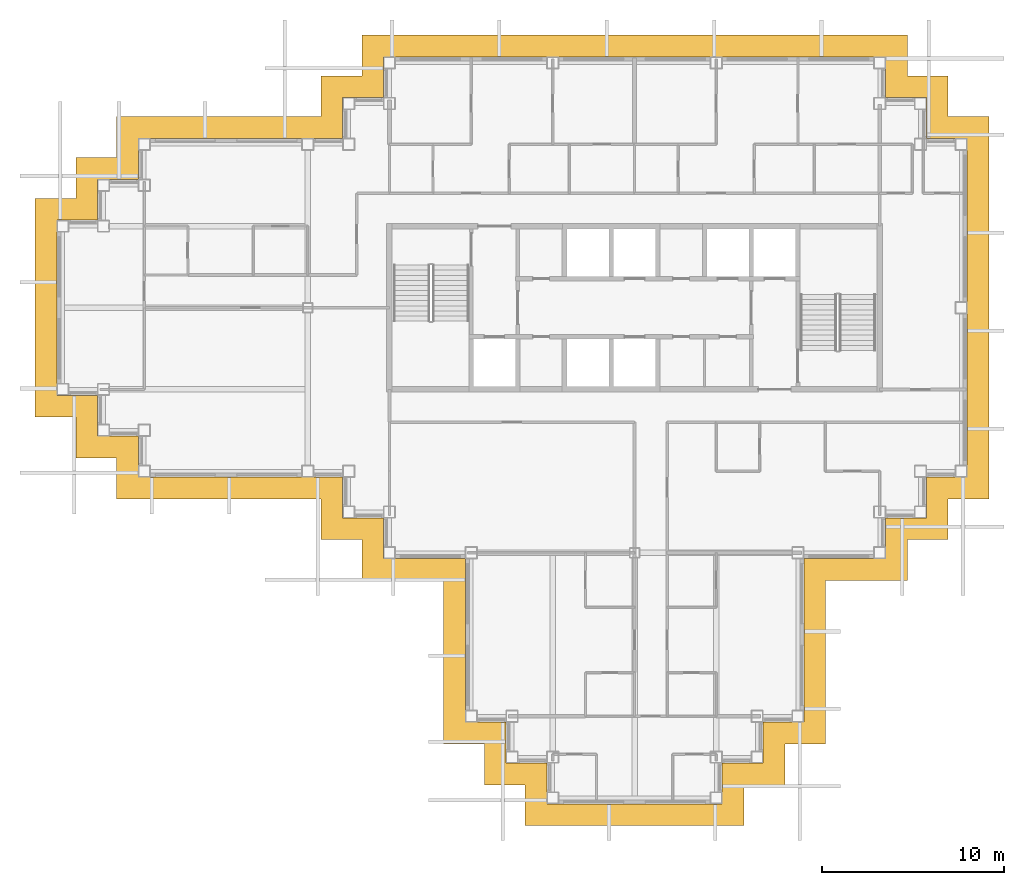
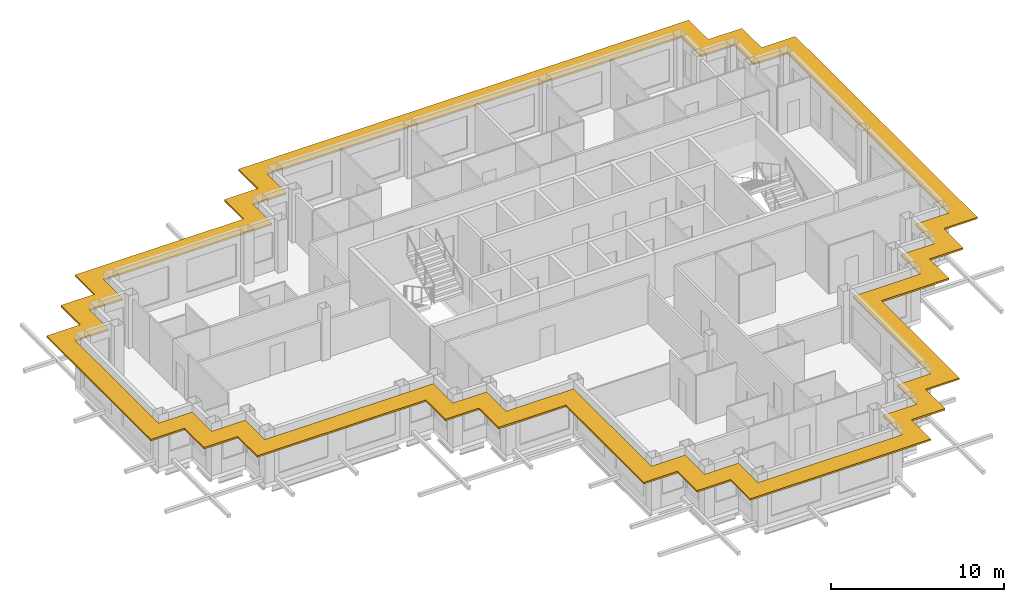
# One storey, part 11 of 12: 1 shading device.
"""IFC4 building model written with IfcOpenShell, lengths in metres."""

from ifc_helpers import new_model, si_unit, direction, frame, origin, place, context, subcontext, project, spatial, polyline, outline, extrude, material, layer, layer_set, type_object, element, save


model = new_model("IFC4")

# Units and contexts
model_context = context("Model", 3, precision=1e-05, world=origin(), true_north=direction((0.0, 1.0)))
body_context = subcontext(model_context, "Body", "Model", "MODEL_VIEW")
ifc_project = project(units=[si_unit("LENGTHUNIT", "METRE"), si_unit("AREAUNIT", "SQUARE_METRE"), si_unit("VOLUMEUNIT", "CUBIC_METRE"), si_unit("PLANEANGLEUNIT", "RADIAN"), si_unit("MASSUNIT", "GRAM", prefix="KILO")], contexts=[model_context])

# Site, building, storey
site_placement = place(None, origin())
site = spatial("IfcSite", under=ifc_project, at=site_placement, CompositionType="ELEMENT")
building_placement = place(site_placement, origin())
building = spatial("IfcBuilding", under=site, at=building_placement, Name="Caravel Reach Hotel and Residences", CompositionType="ELEMENT")
storey_placement = place(building_placement, frame((0.0, 0.0, 218.300048828125)))
storey = spatial("IfcBuildingStorey", under=building, at=storey_placement, Name="L55", CompositionType="ELEMENT", Elevation=218.300048828125)

# Shading device
ifc_material = material(Name="Black powder-coated aluminium", Category="aluminium")
ifc_layer = layer(ifc_material, 0.1201171875)
ifc_layer_set = layer_set([ifc_layer], Name="SS1 Sunshade band 1200")
shading_device_type = type_object("IfcShadingDeviceType", Name="SS1 Sunshade band 1200", PredefinedType="USERDEFINED", material=ifc_layer_set)
shading_device_placement = place(storey_placement, frame((0.0, 0.0, 3.0400390625)))
element("IfcShadingDevice", 1, at=shading_device_placement, inside=storey, type_object=shading_device_type, Name="Sunshade L55 1", ObjectType="SUNSHADE", PredefinedType="USERDEFINED", context=body_context, shape_type="SweptSolid", body=[
    extrude(outline(polyline([(42.02490234375, 2.97509765625), (42.02490234375, 11.97509765625), (46.52490234375, 11.97509765625), (46.52490234375, 14.22509765625), (48.77490234375, 14.22509765625), (48.77490234375, 16.47509765625), (51.02490234375, 16.47509765625), (51.02490234375, 37.52490234375), (48.77490234375, 37.52490234375), (48.77490234375, 39.77490234375), (46.52490234375, 39.77490234375), (46.52490234375, 42.02490234375), (16.47509765625, 42.02490234375), (16.47509765625, 39.77490234375), (14.22509765625, 39.77490234375), (14.22509765625, 37.52490234375), (2.97509765625, 37.52490234375), (2.97509765625, 35.27490234375), (0.72509765625, 35.27490234375), (0.72509765625, 33.02490234375), (-1.52490234375, 33.02490234375), (-1.52490234375, 20.97509765625), (0.72509765625, 20.97509765625), (0.72509765625, 18.72509765625), (2.97509765625, 18.72509765625), (2.97509765625, 16.47509765625), (14.22509765625, 16.47509765625), (14.22509765625, 14.22509765625), (16.47509765625, 14.22509765625), (16.47509765625, 11.97509765625), (20.97509765625, 11.97509765625), (20.97509765625, 2.97509765625), (23.22509765625, 2.97509765625), (23.22509765625, 0.72509765625), (25.47509765625, 0.72509765625), (25.47509765625, -1.52490234375), (37.52490234375, -1.52490234375), (37.52490234375, 0.72509765625), (39.77490234375, 0.72509765625), (39.77490234375, 2.97509765625), (42.02490234375, 2.97509765625)]), holes=[polyline([(45.324951171875, 13.175048828125), (40.824951171875, 13.175048828125), (40.824951171875, 4.175048828125), (38.574951171875, 4.175048828125), (38.574951171875, 1.925048828125), (36.324951171875, 1.925048828125), (36.324951171875, -0.324951171875), (26.675048828125, -0.324951171875), (26.675048828125, 1.925048828125), (24.425048828125, 1.925048828125), (24.425048828125, 4.175048828125), (22.175048828125, 4.175048828125), (22.175048828125, 13.175048828125), (17.675048828125, 13.175048828125), (17.675048828125, 15.425048828125), (15.425048828125, 15.425048828125), (15.425048828125, 17.675048828125), (4.175048828125, 17.675048828125), (4.175048828125, 19.925048828125), (1.925048828125, 19.925048828125), (1.925048828125, 22.175048828125), (-0.324951171875, 22.175048828125), (-0.324951171875, 31.824951171875), (1.925048828125, 31.824951171875), (1.925048828125, 34.074951171875), (4.175048828125, 34.074951171875), (4.175048828125, 36.324951171875), (15.425048828125, 36.324951171875), (15.425048828125, 38.574951171875), (17.675048828125, 38.574951171875), (17.675048828125, 40.824951171875), (45.324951171875, 40.824951171875), (45.324951171875, 38.574951171875), (47.574951171875, 38.574951171875), (47.574951171875, 36.324951171875), (49.824951171875, 36.324951171875), (49.824951171875, 17.675048828125), (47.574951171875, 17.675048828125), (47.574951171875, 15.425048828125), (45.324951171875, 15.425048828125), (45.324951171875, 13.175048828125)])]), origin(), (0.0, 0.0, 1.0), 0.119873046875),
])

save(model, "model.ifc")
